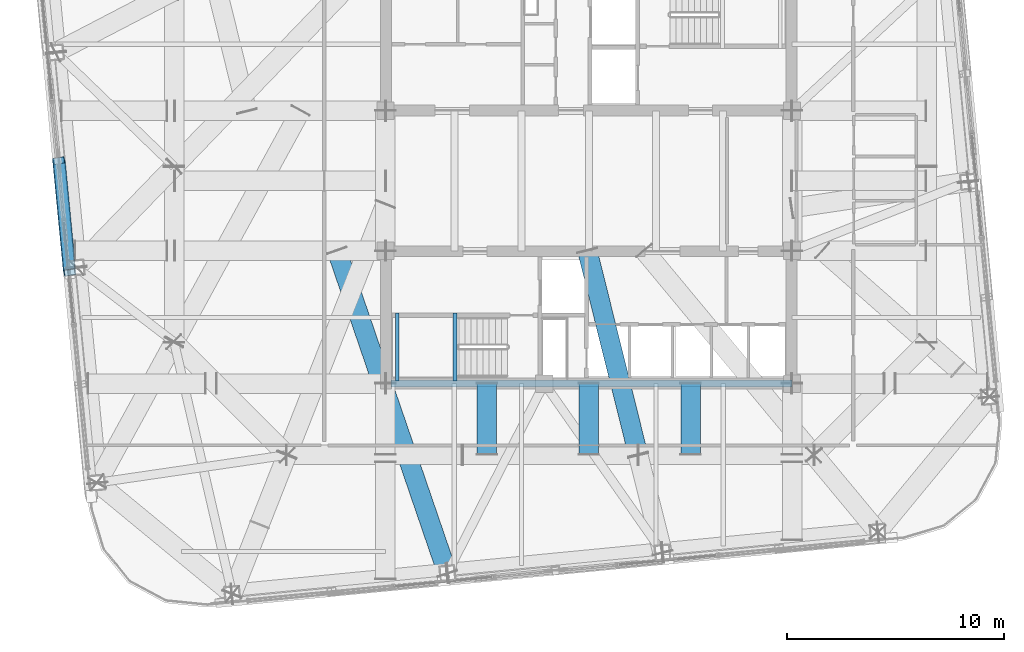
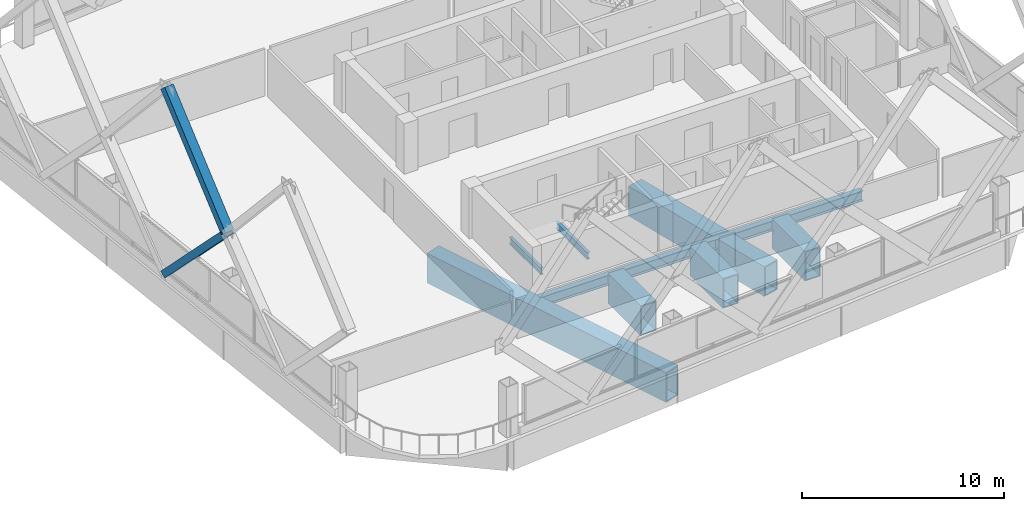
# One storey, part 8 of 37: 8 beams, 2 members.
"""IFC4 building model written with IfcOpenShell, lengths in metres."""

from ifc_helpers import new_model, si_unit, direction, frame, origin, origin_2d, place, context, subcontext, project, spatial, hollow_rectangle, i_section, extrude, material, material_profile, profile_set, type_object, element, save


model = new_model("IFC4")

# Units and contexts
model_context = context("Model", 3, precision=1e-05, world=origin(), true_north=direction((0.0, 1.0)))
body_context = subcontext(model_context, "Body", "Model", "MODEL_VIEW")
ifc_project = project(units=[si_unit("LENGTHUNIT", "METRE"), si_unit("AREAUNIT", "SQUARE_METRE"), si_unit("VOLUMEUNIT", "CUBIC_METRE"), si_unit("PLANEANGLEUNIT", "RADIAN"), si_unit("MASSUNIT", "GRAM", prefix="KILO")], contexts=[model_context])

# Site, building, storey
site_placement = place(None, origin())
site = spatial("IfcSite", under=ifc_project, at=site_placement, CompositionType="ELEMENT")
building_placement = place(site_placement, origin())
building = spatial("IfcBuilding", under=site, at=building_placement, Name="Qhalaya Broadcast Tower", CompositionType="ELEMENT")
storey_placement = place(building_placement, frame((0.0, 0.0, 156.14990234375)))
storey = spatial("IfcBuildingStorey", under=building, at=storey_placement, Name="L45", CompositionType="ELEMENT", Elevation=156.14990234375)

# Beams
ifc_material_1 = material(Name="Structural Steel ASTM A572 Grade 50", Category="steel")
ifc_material_profile_1 = material_profile(ifc_material_1, hollow_rectangle(XDim=0.89990234375, YDim=1.800048828125, WallThickness=0.06005859375, at=origin_2d()), Name="BOX 900x1800x60")
ifc_profile_set_1 = profile_set([ifc_material_profile_1], Name="Structural Steel ASTM A572 Grade 50")
beam_type_1 = type_object("IfcBeamType", Name="Block Cantilever Transfer Box Girder TG1", PredefinedType="USERDEFINED", material=ifc_profile_set_1)
for number, where, z_axis, x_axis, name in (
    (1, (0.0, -12.0, -1.119873046875), (0.0, 1.0, 0.0), (-1.0, 0.0, 0.0), "L45 TG1 L45-TGIMS-1"),
    (2, (-4.699951171875, -12.0, -1.119873046875), (0.0, 1.0, 0.0), (-1.0, 0.0, 0.0), "L45 TG1 L45-TGIMSW-1"),
    (3, (4.699951171875, -12.0, -1.119873046875), (0.0, 1.0, 0.0), (-1.0, 0.0, 0.0), "L45 TG1 L45-TGIMSE-1"),
):
    element("IfcBeam", number, at=place(storey_placement, frame(where, z_axis=z_axis, x_axis=x_axis)), inside=storey, type_object=beam_type_1, Name=name, ObjectType="GIRDER", PredefinedType="USERDEFINED", context=body_context, shape_type="SweptSolid", body=[
        extrude(hollow_rectangle(XDim=0.89990234375, YDim=1.800048828125, WallThickness=0.06005859375, at=origin_2d()), origin(), (0.0, 0.0, 1.0), 3.25),
    ])
beam_1_placement = place(storey_placement, frame((-11.6123046875, -2.625, -1.119873046875), z_axis=(0.323958498929, -0.946071292753, 0.0), x_axis=(0.946071292753, 0.323958498929, 0.0)))
element("IfcBeam", 4, at=beam_1_placement, inside=storey, type_object=beam_type_1, Name="L45 Continuous Cantilever Transfer Box Girder 02", ObjectType="GIRDER", PredefinedType="USERDEFINED", context=body_context, shape_type="SweptSolid", body=[
    extrude(hollow_rectangle(XDim=0.89990234375, YDim=1.800048828125, WallThickness=0.06005859375, at=origin_2d()), origin(), (0.0, 0.0, 1.0), 15.715087890625),
])
beam_2_placement = place(storey_placement, frame((-0.06396484375, -2.625, -1.119873046875), z_axis=(0.241588203369, -0.970378864152, 0.0), x_axis=(0.970378864152, 0.241588203369, 0.0)))
element("IfcBeam", 5, at=beam_2_placement, inside=storey, type_object=beam_type_1, Name="L45 Collinear Back-Span Transfer Box Girder 03", ObjectType="GIRDER", PredefinedType="USERDEFINED", context=body_context, shape_type="SweptSolid", body=[
    extrude(hollow_rectangle(XDim=0.89990234375, YDim=1.800048828125, WallThickness=0.06005859375, at=origin_2d()), origin(), (0.0, 0.0, 1.0), 9.702392578125),
])
ifc_material_2 = material(Name="Structural Steel ASTM A992 Grade 50", Category="steel")
ifc_material_profile_2 = material_profile(ifc_material_2, i_section(OverallWidth=0.323974609375, OverallDepth=0.612060546875, WebThickness=0.0126953125, FlangeThickness=0.01904296875, at=origin_2d()), Name="W24X104")
ifc_profile_set_2 = profile_set([ifc_material_profile_2], Name="Structural Steel ASTM A992 Grade 50")
beam_type_2 = type_object("IfcBeamType", Name="Core Frame Tie Beam B04", PredefinedType="BEAM", material=ifc_profile_set_2)
beam_3_placement = place(storey_placement, frame((-9.1201171875, -8.75, -0.52587890625), z_axis=(1.0, 0.0, 0.0), x_axis=(0.0, 1.0, 0.0)))
element("IfcBeam", 6, at=beam_3_placement, inside=storey, type_object=beam_type_2, Name="L45 B04 L45-CCS3", PredefinedType="BEAM", context=body_context, shape_type="SweptSolid", body=[
    extrude(i_section(OverallWidth=0.323974609375, OverallDepth=0.612060546875, WebThickness=0.0126953125, FlangeThickness=0.01904296875, at=origin_2d()), origin(), (0.0, 0.0, 1.0), 18.4951171875),
])

# Members
ifc_material_profile_3 = material_profile(ifc_material_1, hollow_rectangle(XDim=0.39990234375, YDim=0.550048828125, WallThickness=0.02490234375, at=origin_2d()), Name="BOX 400x550x25")
ifc_profile_set_3 = profile_set([ifc_material_profile_3], Name="Structural Steel ASTM A572 Grade 50")
member_type = type_object("IfcMemberType", Name="Exoskeleton Diamond Diagonal Mid-High EX3", PredefinedType="BRACE", material=ifc_profile_set_3)
member_1_placement = place(storey_placement, frame((-24.433349609375, 1.5283203125, 0.360107421875), z_axis=(0.0665028249, -0.690648993337, 0.72012592113), x_axis=(-0.164108649451, 0.704323932435, 0.690649078313)))
element("IfcMember", 7, at=member_1_placement, inside=storey, type_object=member_type, Name="B4 Exoskeleton Diamond Brace W2-D2", PredefinedType="BRACE", context=body_context, shape_type="SweptSolid", body=[
    extrude(hollow_rectangle(XDim=0.39990234375, YDim=0.550048828125, WallThickness=0.02490234375, at=origin_2d()), origin(), (0.0, 0.0, 1.0), 7.470703125),
])
member_2_placement = place(storey_placement, frame((-23.9365234375, -3.63134765625, 5.739990234375), z_axis=(-0.063502926695, 0.659494276547, 0.749022481307), x_axis=(0.166865547844, -0.73295503349, 0.65949435769)))
element("IfcMember", 8, at=member_2_placement, inside=storey, type_object=member_type, Name="B4 Exoskeleton Diamond Brace W2-D4", PredefinedType="BRACE", context=body_context, shape_type="SweptSolid", body=[
    extrude(hollow_rectangle(XDim=0.39990234375, YDim=0.550048828125, WallThickness=0.02490234375, at=origin_2d()), origin(), (0.0, 0.0, 1.0), 7.82373046875),
])

# Beams
ifc_material_profile_4 = material_profile(ifc_material_2, i_section(OverallWidth=0.177978515625, OverallDepth=0.406005859375, WebThickness=0.0078125, FlangeThickness=0.0126953125, at=origin_2d()), Name="W16X40")
ifc_profile_set_4 = profile_set([ifc_material_profile_4], Name="Structural Steel ASTM A992 Grade 50")
beam_type_3 = type_object("IfcBeamType", Name="Upper Perimeter Spandrel Beam SP2", PredefinedType="SPANDREL", material=ifc_profile_set_4)
for number, where, z_axis, x_axis, name in (
    (9, (-8.830078125, -8.6201171875, 1.1220703125), (0.0, 1.0, 0.0), (-1.0, 0.0, 0.0), "L45 ST-2 Half-Landing Bearer Beam 1"),
    (10, (-6.175048828125, -8.6201171875, 1.1220703125), (0.0, 1.0, 0.0), (-1.0, 0.0, 0.0), "L45 ST-2 Half-Landing Bearer Beam 2"),
):
    element("IfcBeam", number, at=place(storey_placement, frame(where, z_axis=z_axis, x_axis=x_axis)), inside=storey, type_object=beam_type_3, Name=name, PredefinedType="SPANDREL", context=body_context, shape_type="SweptSolid", body=[
        extrude(i_section(OverallWidth=0.177978515625, OverallDepth=0.406005859375, WebThickness=0.0078125, FlangeThickness=0.0126953125, at=origin_2d()), origin(), (0.0, 0.0, 1.0), 3.1201171875),
    ])

save(model, "model.ifc")
